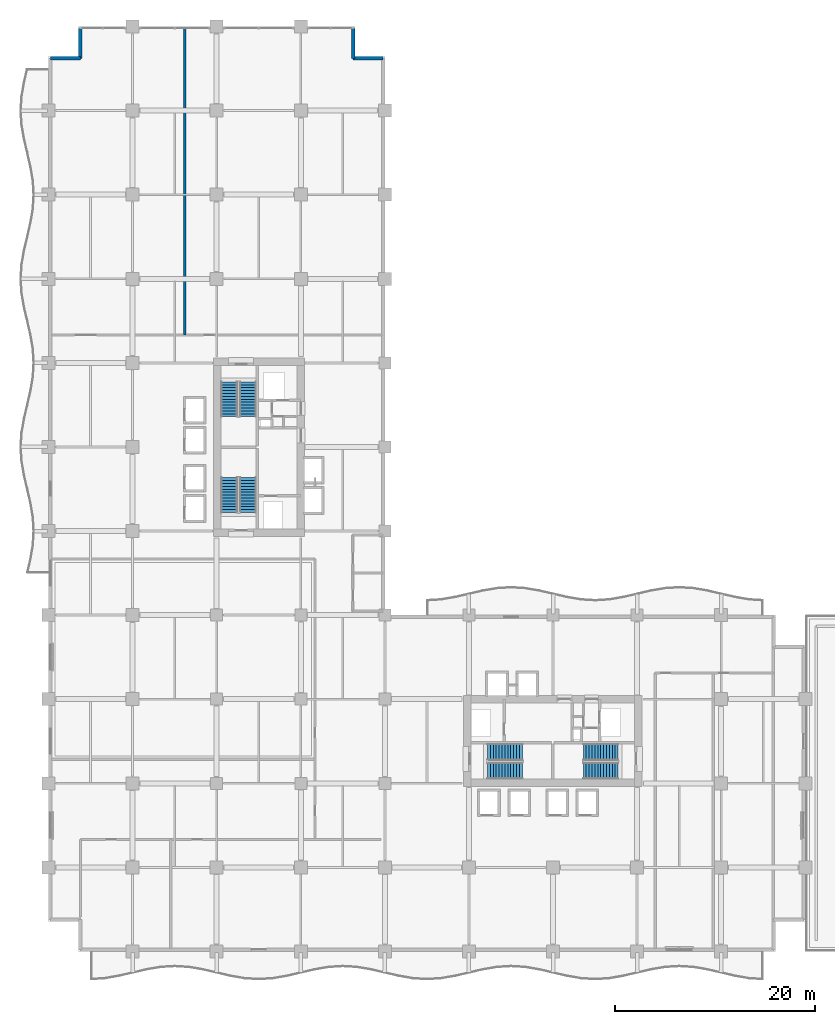
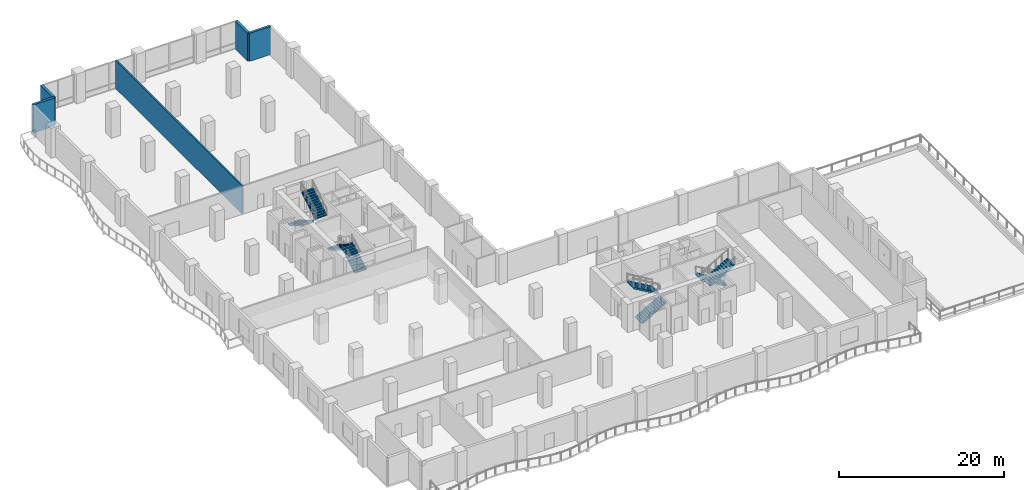
# One storey, part 14 of 21: 8 stair flights, 5 walls, 4 elements without a shape of their own.
"""IFC4 building model written with IfcOpenShell, lengths in metres."""

from ifc_helpers import new_model, si_unit, direction, frame, frame_2d, origin, place, context, subcontext, project, spatial, polyline, rectangle, outline, extrude, material, layer, layer_set, type_object, element, aggregate, save


model = new_model("IFC4")

# Units and contexts
model_context = context("Model", 3, precision=1e-05, world=origin(), true_north=direction((0.0, 1.0)))
body_context = subcontext(model_context, "Body", "Model", "MODEL_VIEW")
ifc_project = project(units=[si_unit("LENGTHUNIT", "METRE"), si_unit("AREAUNIT", "SQUARE_METRE"), si_unit("VOLUMEUNIT", "CUBIC_METRE"), si_unit("PLANEANGLEUNIT", "RADIAN"), si_unit("MASSUNIT", "GRAM", prefix="KILO")], contexts=[model_context])

# Site, building, storey
site_placement = place(None, origin())
site = spatial("IfcSite", under=ifc_project, at=site_placement, CompositionType="ELEMENT")
building_placement = place(site_placement, origin())
building = spatial("IfcBuilding", under=site, at=building_placement, Name="Koriwani Terraces Tower", CompositionType="ELEMENT")
storey_placement = place(building_placement, frame((0.0, 0.0, 85.199951171875)))
storey = spatial("IfcBuildingStorey", under=building, at=storey_placement, Name="L20", CompositionType="ELEMENT", Elevation=85.199951171875)

# Walls
ifc_material_1 = material(Name="Autoclaved Cellular Concrete Blockwork", Category="masonry")
ifc_layer_1 = layer(ifc_material_1, 0.219970703125, Name="Autoclaved Cellular Concrete Blockwork")
ifc_layer_set_1 = layer_set([ifc_layer_1], Name="Autoclaved Cellular Concrete Blockwork")
wall_type_1 = type_object("IfcWallType", Name="WALL_DEMISING_220", PredefinedType="PARTITIONING", material=ifc_layer_set_1)
wall_placement = place(storey_placement, frame((13.60009765625, 61.60009765625, 0.0), z_axis=(0.0, 0.0, 1.0), x_axis=(0.0, 1.0, 0.0)))
element("IfcWall", 1, at=wall_placement, inside=storey, type_object=wall_type_1, Name="L20 Interior Wall WSKY-NDIV-L20", PredefinedType="PARTITIONING", context=body_context, shape_type="SweptSolid", body=[
    extrude(rectangle(XDim=30.64990234375, YDim=0.219970703125, at=frame_2d((15.324951171875, 0.0))), origin(), (0.0, 0.0, 1.0), 4.150146484375),
])
ifc_material_2 = material(Name="Concrete C50/60", Category="concrete")
ifc_layer_2 = layer(ifc_material_2, 0.35009765625, Name="Concrete C50/60")
ifc_layer_set_2 = layer_set([ifc_layer_2], Name="Concrete C50/60")
wall_type_2 = type_object("IfcWallType", Name="WALL_EXT_BRUTALIST_350", PredefinedType="STANDARD", material=ifc_layer_set_2)
for number, where, z_axis, x_axis, name in (
    (2, (0.175048828125, 89.22509765625, 0.0), (0.0, 0.0, 1.0), (1.0, 0.0, 0.0), "L20 Fair-Faced Brutalist Exterior Wall (N3)"),
    (3, (3.175048828125, 89.22509765625, 0.0), (0.0, 0.0, 1.0), (0.0, 1.0, 0.0), "L20 Fair-Faced Brutalist Exterior Wall (N4)"),
    (4, (30.425048828125, 92.22509765625, 0.0), (0.0, 0.0, 1.0), (0.0, -1.0, 0.0), "L20 Fair-Faced Brutalist Exterior Wall (N6)"),
    (5, (30.425048828125, 89.22509765625, 0.0), (0.0, 0.0, 1.0), (1.0, 0.0, 0.0), "L20 Fair-Faced Brutalist Exterior Wall (N7)"),
):
    element("IfcWall", number, at=place(storey_placement, frame(where, z_axis=z_axis, x_axis=x_axis)), inside=storey, type_object=wall_type_2, Name=name, PredefinedType="STANDARD", context=body_context, shape_type="SweptSolid", body=[
        extrude(rectangle(XDim=3.0, YDim=0.35009765625, at=frame_2d((1.5, 0.0))), origin(), (0.0, 0.0, 1.0), 4.150146484375),
    ])

# Stair, stair flights
ifc_material_3 = material(Name="Concrete C40/50", Category="concrete")
stair_type = type_object("IfcStairType", Name="STAIR_CORE_DOGLEG_1650", PredefinedType="TWO_STRAIGHT_RUN_STAIR", material=ifc_material_3)
stair_1_placement = place(storey_placement, origin())
stair_1 = element("IfcStair", 6, at=stair_1_placement, inside=storey, type_object=stair_type, Name="L20 West Core Exit Stair 1", PredefinedType="HALF_TURN_STAIR")
stair_flight_type = type_object("IfcStairFlightType", Name="STAIR_FLIGHT_RC_1650", PredefinedType="STRAIGHT", material=ifc_material_3)
stair_flight_1_placement = place(storey_placement, frame((19.925048828125, 43.85009765625, 0.0), z_axis=(0.0, 0.0, 1.0), x_axis=(0.0, 1.0, 0.0)))
stair_flight_1 = element("IfcStairFlight", 7, at=stair_flight_1_placement, type_object=stair_flight_type, Name="ST-W1 flight 1", NumberOfRisers=13, NumberOfTreads=12, PredefinedType="STRAIGHT", RiserHeight=0.169230769, TreadLength=0.29, context=body_context, shape_type="SweptSolid", body=[
    extrude(outline(polyline([(0.0, 0.0), (0.0, 0.169189453125), (0.2900390625, 0.169189453125), (0.2900390625, 0.33837890625), (0.580078125, 0.33837890625), (0.580078125, 0.5078125), (0.8701171875, 0.5078125), (0.8701171875, 0.677001953125), (1.159912109375, 0.677001953125), (1.159912109375, 0.84619140625), (1.449951171875, 0.84619140625), (1.449951171875, 1.015380859375), (1.739990234375, 1.015380859375), (1.739990234375, 1.1845703125), (2.030029296875, 1.1845703125), (2.030029296875, 1.353759765625), (2.320068359375, 1.353759765625), (2.320068359375, 1.523193359375), (2.610107421875, 1.523193359375), (2.610107421875, 1.6923828125), (2.89990234375, 1.6923828125), (2.89990234375, 1.861572265625), (3.18994140625, 1.861572265625), (3.18994140625, 2.03076171875), (3.47998046875, 2.03076171875), (3.47998046875, 2.199951171875), (3.47998046875, 1.822509765625), (0.35693359375, 0.0), (0.0, 0.0)])), frame((0.0, 0.824951171875, 0.0), z_axis=(0.0, -1.0, 0.0), x_axis=(1.0, 0.0, 0.0)), (0.0, 0.0, 1.0), 1.64990234375),
])
stair_flight_2_placement = place(storey_placement, frame((18.074951171875, 47.330078125, 2.199951171875), z_axis=(0.0, 0.0, 1.0), x_axis=(0.0, -1.0, 0.0)))
stair_flight_2 = element("IfcStairFlight", 8, at=stair_flight_2_placement, type_object=stair_flight_type, Name="ST-W1 flight 2", NumberOfRisers=13, NumberOfTreads=12, PredefinedType="STRAIGHT", RiserHeight=0.169230769, TreadLength=0.29, context=body_context, shape_type="SweptSolid", body=[
    extrude(outline(polyline([(0.0, 0.0), (0.0, 0.169189453125), (0.2900390625, 0.169189453125), (0.2900390625, 0.33837890625), (0.580078125, 0.33837890625), (0.580078125, 0.5078125), (0.8701171875, 0.5078125), (0.8701171875, 0.677001953125), (1.159912109375, 0.677001953125), (1.159912109375, 0.84619140625), (1.449951171875, 0.84619140625), (1.449951171875, 1.015380859375), (1.739990234375, 1.015380859375), (1.739990234375, 1.1845703125), (2.030029296875, 1.1845703125), (2.030029296875, 1.353759765625), (2.320068359375, 1.353759765625), (2.320068359375, 1.523193359375), (2.610107421875, 1.523193359375), (2.610107421875, 1.6923828125), (2.89990234375, 1.6923828125), (2.89990234375, 1.861572265625), (3.18994140625, 1.861572265625), (3.18994140625, 2.03076171875), (3.47998046875, 2.03076171875), (3.47998046875, 2.199951171875), (3.47998046875, 1.822509765625), (0.35693359375, 0.0), (0.0, 0.0)])), frame((0.0, 0.824951171875, 0.0), z_axis=(0.0, -1.0, 0.0), x_axis=(1.0, 0.0, 0.0)), (0.0, 0.0, 1.0), 1.64990234375),
])
aggregate(stair_1, [stair_flight_1, stair_flight_2])

stair_2_placement = place(storey_placement, origin())
stair_2 = element("IfcStair", 9, at=stair_2_placement, inside=storey, type_object=stair_type, Name="L20 West Core Exit Stair 2", PredefinedType="HALF_TURN_STAIR")
stair_flight_3_placement = place(storey_placement, frame((18.074951171875, 56.89990234375, 0.0), z_axis=(0.0, 0.0, 1.0), x_axis=(0.0, -1.0, 0.0)))
stair_flight_3 = element("IfcStairFlight", 10, at=stair_flight_3_placement, type_object=stair_flight_type, Name="ST-W2 flight 1", NumberOfRisers=13, NumberOfTreads=12, PredefinedType="STRAIGHT", RiserHeight=0.169230769, TreadLength=0.29, context=body_context, shape_type="SweptSolid", body=[
    extrude(outline(polyline([(0.0, 0.0), (0.0, 0.169189453125), (0.2900390625, 0.169189453125), (0.2900390625, 0.33837890625), (0.580078125, 0.33837890625), (0.580078125, 0.5078125), (0.8701171875, 0.5078125), (0.8701171875, 0.677001953125), (1.159912109375, 0.677001953125), (1.159912109375, 0.84619140625), (1.449951171875, 0.84619140625), (1.449951171875, 1.015380859375), (1.739990234375, 1.015380859375), (1.739990234375, 1.1845703125), (2.030029296875, 1.1845703125), (2.030029296875, 1.353759765625), (2.320068359375, 1.353759765625), (2.320068359375, 1.523193359375), (2.610107421875, 1.523193359375), (2.610107421875, 1.6923828125), (2.89990234375, 1.6923828125), (2.89990234375, 1.861572265625), (3.18994140625, 1.861572265625), (3.18994140625, 2.03076171875), (3.47998046875, 2.03076171875), (3.47998046875, 2.199951171875), (3.47998046875, 1.822509765625), (0.35693359375, 0.0), (0.0, 0.0)])), frame((0.0, 0.824951171875, 0.0), z_axis=(0.0, -1.0, 0.0), x_axis=(1.0, 0.0, 0.0)), (0.0, 0.0, 1.0), 1.64990234375),
])
stair_flight_4_placement = place(storey_placement, frame((19.925048828125, 53.419921875, 2.199951171875), z_axis=(0.0, 0.0, 1.0), x_axis=(0.0, 1.0, 0.0)))
stair_flight_4 = element("IfcStairFlight", 11, at=stair_flight_4_placement, type_object=stair_flight_type, Name="ST-W2 flight 2", NumberOfRisers=13, NumberOfTreads=12, PredefinedType="STRAIGHT", RiserHeight=0.169230769, TreadLength=0.29, context=body_context, shape_type="SweptSolid", body=[
    extrude(outline(polyline([(0.0, 0.0), (0.0, 0.169189453125), (0.2900390625, 0.169189453125), (0.2900390625, 0.33837890625), (0.580078125, 0.33837890625), (0.580078125, 0.5078125), (0.8701171875, 0.5078125), (0.8701171875, 0.677001953125), (1.159912109375, 0.677001953125), (1.159912109375, 0.84619140625), (1.449951171875, 0.84619140625), (1.449951171875, 1.015380859375), (1.739990234375, 1.015380859375), (1.739990234375, 1.1845703125), (2.030029296875, 1.1845703125), (2.030029296875, 1.353759765625), (2.320068359375, 1.353759765625), (2.320068359375, 1.523193359375), (2.610107421875, 1.523193359375), (2.610107421875, 1.6923828125), (2.89990234375, 1.6923828125), (2.89990234375, 1.861572265625), (3.18994140625, 1.861572265625), (3.18994140625, 2.03076171875), (3.47998046875, 2.03076171875), (3.47998046875, 2.199951171875), (3.47998046875, 1.822509765625), (0.35693359375, 0.0), (0.0, 0.0)])), frame((0.0, 0.824951171875, 0.0), z_axis=(0.0, -1.0, 0.0), x_axis=(1.0, 0.0, 0.0)), (0.0, 0.0, 1.0), 1.64990234375),
])
aggregate(stair_2, [stair_flight_3, stair_flight_4])

stair_3_placement = place(storey_placement, origin())
stair_3 = element("IfcStair", 12, at=stair_3_placement, inside=storey, type_object=stair_type, Name="L20 East Core Exit Stair 1", PredefinedType="HALF_TURN_STAIR")
stair_flight_5_placement = place(storey_placement, frame((43.85009765625, 18.074951171875, 0.0), z_axis=(0.0, 0.0, 1.0), x_axis=(1.0, 0.0, 0.0)))
stair_flight_5 = element("IfcStairFlight", 13, at=stair_flight_5_placement, type_object=stair_flight_type, Name="ST-E1 flight 1", NumberOfRisers=13, NumberOfTreads=12, PredefinedType="STRAIGHT", RiserHeight=0.169230769, TreadLength=0.29, context=body_context, shape_type="SweptSolid", body=[
    extrude(outline(polyline([(0.0, 0.0), (0.0, 0.169189453125), (0.2900390625, 0.169189453125), (0.2900390625, 0.33837890625), (0.580078125, 0.33837890625), (0.580078125, 0.5078125), (0.8701171875, 0.5078125), (0.8701171875, 0.677001953125), (1.159912109375, 0.677001953125), (1.159912109375, 0.84619140625), (1.449951171875, 0.84619140625), (1.449951171875, 1.015380859375), (1.739990234375, 1.015380859375), (1.739990234375, 1.1845703125), (2.030029296875, 1.1845703125), (2.030029296875, 1.353759765625), (2.320068359375, 1.353759765625), (2.320068359375, 1.523193359375), (2.610107421875, 1.523193359375), (2.610107421875, 1.6923828125), (2.89990234375, 1.6923828125), (2.89990234375, 1.861572265625), (3.18994140625, 1.861572265625), (3.18994140625, 2.03076171875), (3.47998046875, 2.03076171875), (3.47998046875, 2.199951171875), (3.47998046875, 1.822509765625), (0.35693359375, 0.0), (0.0, 0.0)])), frame((0.0, 0.824951171875, 0.0), z_axis=(0.0, -1.0, 0.0), x_axis=(1.0, 0.0, 0.0)), (0.0, 0.0, 1.0), 1.64990234375),
])
stair_flight_6_placement = place(storey_placement, frame((47.330078125, 19.925048828125, 2.199951171875), z_axis=(0.0, 0.0, 1.0), x_axis=(-1.0, 0.0, 0.0)))
stair_flight_6 = element("IfcStairFlight", 14, at=stair_flight_6_placement, type_object=stair_flight_type, Name="ST-E1 flight 2", NumberOfRisers=13, NumberOfTreads=12, PredefinedType="STRAIGHT", RiserHeight=0.169230769, TreadLength=0.29, context=body_context, shape_type="SweptSolid", body=[
    extrude(outline(polyline([(0.0, 0.0), (0.0, 0.169189453125), (0.2900390625, 0.169189453125), (0.2900390625, 0.33837890625), (0.580078125, 0.33837890625), (0.580078125, 0.5078125), (0.8701171875, 0.5078125), (0.8701171875, 0.677001953125), (1.159912109375, 0.677001953125), (1.159912109375, 0.84619140625), (1.449951171875, 0.84619140625), (1.449951171875, 1.015380859375), (1.739990234375, 1.015380859375), (1.739990234375, 1.1845703125), (2.030029296875, 1.1845703125), (2.030029296875, 1.353759765625), (2.320068359375, 1.353759765625), (2.320068359375, 1.523193359375), (2.610107421875, 1.523193359375), (2.610107421875, 1.6923828125), (2.89990234375, 1.6923828125), (2.89990234375, 1.861572265625), (3.18994140625, 1.861572265625), (3.18994140625, 2.03076171875), (3.47998046875, 2.03076171875), (3.47998046875, 2.199951171875), (3.47998046875, 1.822509765625), (0.35693359375, 0.0), (0.0, 0.0)])), frame((0.0, 0.824951171875, 0.0), z_axis=(0.0, -1.0, 0.0), x_axis=(1.0, 0.0, 0.0)), (0.0, 0.0, 1.0), 1.64990234375),
])
aggregate(stair_3, [stair_flight_5, stair_flight_6])

stair_4_placement = place(storey_placement, origin())
stair_4 = element("IfcStair", 15, at=stair_4_placement, inside=storey, type_object=stair_type, Name="L20 East Core Exit Stair 2", PredefinedType="HALF_TURN_STAIR")
stair_flight_7_placement = place(storey_placement, frame((56.89990234375, 19.925048828125, 0.0), z_axis=(0.0, 0.0, 1.0), x_axis=(-1.0, 0.0, 0.0)))
stair_flight_7 = element("IfcStairFlight", 16, at=stair_flight_7_placement, type_object=stair_flight_type, Name="ST-E2 flight 1", NumberOfRisers=13, NumberOfTreads=12, PredefinedType="STRAIGHT", RiserHeight=0.169230769, TreadLength=0.29, context=body_context, shape_type="SweptSolid", body=[
    extrude(outline(polyline([(0.0, 0.0), (0.0, 0.169189453125), (0.2900390625, 0.169189453125), (0.2900390625, 0.33837890625), (0.580078125, 0.33837890625), (0.580078125, 0.5078125), (0.8701171875, 0.5078125), (0.8701171875, 0.677001953125), (1.159912109375, 0.677001953125), (1.159912109375, 0.84619140625), (1.449951171875, 0.84619140625), (1.449951171875, 1.015380859375), (1.739990234375, 1.015380859375), (1.739990234375, 1.1845703125), (2.030029296875, 1.1845703125), (2.030029296875, 1.353759765625), (2.320068359375, 1.353759765625), (2.320068359375, 1.523193359375), (2.610107421875, 1.523193359375), (2.610107421875, 1.6923828125), (2.89990234375, 1.6923828125), (2.89990234375, 1.861572265625), (3.18994140625, 1.861572265625), (3.18994140625, 2.03076171875), (3.47998046875, 2.03076171875), (3.47998046875, 2.199951171875), (3.47998046875, 1.822509765625), (0.35693359375, 0.0), (0.0, 0.0)])), frame((0.0, 0.824951171875, 0.0), z_axis=(0.0, -1.0, 0.0), x_axis=(1.0, 0.0, 0.0)), (0.0, 0.0, 1.0), 1.64990234375),
])
stair_flight_8_placement = place(storey_placement, frame((53.419921875, 18.074951171875, 2.199951171875), z_axis=(0.0, 0.0, 1.0), x_axis=(1.0, 0.0, 0.0)))
stair_flight_8 = element("IfcStairFlight", 17, at=stair_flight_8_placement, type_object=stair_flight_type, Name="ST-E2 flight 2", NumberOfRisers=13, NumberOfTreads=12, PredefinedType="STRAIGHT", RiserHeight=0.169230769, TreadLength=0.29, context=body_context, shape_type="SweptSolid", body=[
    extrude(outline(polyline([(0.0, 0.0), (0.0, 0.169189453125), (0.2900390625, 0.169189453125), (0.2900390625, 0.33837890625), (0.580078125, 0.33837890625), (0.580078125, 0.5078125), (0.8701171875, 0.5078125), (0.8701171875, 0.677001953125), (1.159912109375, 0.677001953125), (1.159912109375, 0.84619140625), (1.449951171875, 0.84619140625), (1.449951171875, 1.015380859375), (1.739990234375, 1.015380859375), (1.739990234375, 1.1845703125), (2.030029296875, 1.1845703125), (2.030029296875, 1.353759765625), (2.320068359375, 1.353759765625), (2.320068359375, 1.523193359375), (2.610107421875, 1.523193359375), (2.610107421875, 1.6923828125), (2.89990234375, 1.6923828125), (2.89990234375, 1.861572265625), (3.18994140625, 1.861572265625), (3.18994140625, 2.03076171875), (3.47998046875, 2.03076171875), (3.47998046875, 2.199951171875), (3.47998046875, 1.822509765625), (0.35693359375, 0.0), (0.0, 0.0)])), frame((0.0, 0.824951171875, 0.0), z_axis=(0.0, -1.0, 0.0), x_axis=(1.0, 0.0, 0.0)), (0.0, 0.0, 1.0), 1.64990234375),
])
aggregate(stair_4, [stair_flight_7, stair_flight_8])

save(model, "model.ifc")
